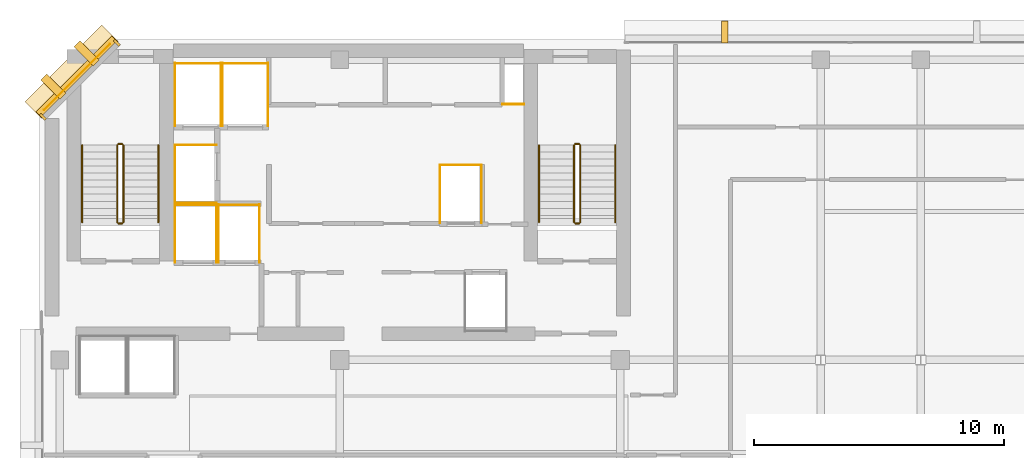
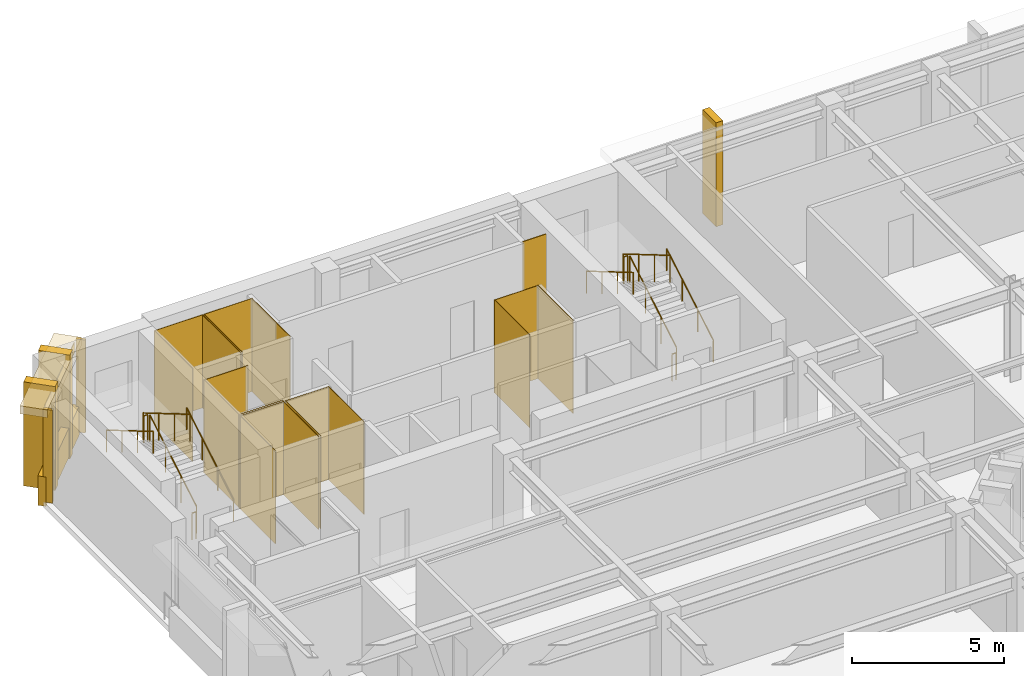
# One storey, part 11 of 12: 27 coverings, 12 railings.
"""IFC4 building model written with IfcOpenShell, lengths in metres."""

from ifc_helpers import new_model, si_unit, direction, frame, origin, origin_2d, place, context, subcontext, project, spatial, polyline, rectangle, circle, outline, extrude, material, layer, layer_set, type_object, element, save


model = new_model("IFC4")

# Units and contexts
model_context = context("Model", 3, precision=1e-05, world=origin(), true_north=direction((0.0, 1.0)))
body_context = subcontext(model_context, "Body", "Model", "MODEL_VIEW")
ifc_project = project(units=[si_unit("LENGTHUNIT", "METRE"), si_unit("AREAUNIT", "SQUARE_METRE"), si_unit("VOLUMEUNIT", "CUBIC_METRE"), si_unit("PLANEANGLEUNIT", "RADIAN"), si_unit("MASSUNIT", "GRAM", prefix="KILO")], contexts=[model_context])

# Site, building, storey
site_placement = place(None, origin())
site = spatial("IfcSite", under=ifc_project, at=site_placement, CompositionType="ELEMENT")
building_placement = place(site_placement, origin())
building = spatial("IfcBuilding", under=site, at=building_placement, Name="Kefirva Bronze Tower", CompositionType="ELEMENT")
storey_placement = place(building_placement, frame((0.0, 0.0, 339.570068359375)))
storey = spatial("IfcBuildingStorey", under=building, at=storey_placement, Name="L83", CompositionType="ELEMENT", Elevation=339.570068359375)

# Coverings
ifc_material_1 = material(Name="Bronze anodised aluminium", Category="aluminium")
ifc_layer_1 = layer(ifc_material_1, 0.02001953125, Name="Bronze anodised aluminium")
ifc_layer_set_1 = layer_set([ifc_layer_1], Name="Bronze anodised aluminium")
covering_type_1 = type_object("IfcCoveringType", Name="Anodised Bronze Spandrel Cladding 20mm", PredefinedType="CLADDING", material=ifc_layer_set_1)
covering_1_placement = place(storey_placement, frame((1.492919921875, 44.507080078125, 3.320068359375), z_axis=(0.0, 0.0, 1.0), x_axis=(-0.707106781187, -0.707106781187, 0.0)))
element("IfcCovering", 1, at=covering_1_placement, inside=storey, type_object=covering_type_1, Name="L83 Bronze Spandrel Cladding 9", PredefinedType="CLADDING", context=body_context, shape_type="SweptSolid", body=[
    extrude(rectangle(XDim=3.719482421875, YDim=0.02001953125, at=origin_2d()), origin(), (0.0, 0.0, 1.0), 0.39990234375),
])
for number, where, z_axis, x_axis, name in (
    (2, (3.08837890625, 45.862060546875, 0.0), (0.0, 0.0, 1.0), (-0.707106781187, -0.707106781187, 0.0), "L83 Facade Joint Closure Panel 9S"),
    (3, (0.137939453125, 42.91162109375, 0.0), (0.0, 0.0, 1.0), (-0.707106781187, -0.707106781187, 0.0), "L83 Facade Joint Closure Panel 9E"),
):
    element("IfcCovering", number, at=place(storey_placement, frame(where, z_axis=z_axis, x_axis=x_axis)), inside=storey, type_object=covering_type_1, Name=name, PredefinedType="CLADDING", context=body_context, shape_type="SweptSolid", body=[
        extrude(rectangle(XDim=0.10009765625, YDim=0.320068359375, at=origin_2d()), origin(), (0.0, 0.0, 1.0), 3.739990234375),
    ])
covering_2_placement = place(storey_placement, frame((1.4716796875, 44.5283203125, -0.16015625), z_axis=(0.0, 0.0, 1.0), x_axis=(-0.707106781187, -0.707106781187, 0.0)))
element("IfcCovering", 4, at=covering_2_placement, inside=storey, type_object=covering_type_1, Name="L83 Streamline Horizontal Spandrel Band 13", PredefinedType="CLADDING", context=body_context, shape_type="SweptSolid", body=[
    extrude(rectangle(XDim=4.28271484375, YDim=0.280029296875, at=origin_2d()), origin(), (0.0, 0.0, 1.0), 1.179931640625),
])
covering_3_placement = place(storey_placement, origin())
element("IfcCovering", 5, at=covering_3_placement, inside=storey, type_object=covering_type_1, Name="L83 Lift FF1 Hoistway Liner N", PredefinedType="CLADDING", context=body_context, shape_type="SweptSolid", body=[
    extrude(outline(polyline([(5.39990234375, 39.389892578125), (7.080078125, 39.389892578125), (7.080078125, 39.409912109375), (5.39990234375, 39.409912109375), (5.39990234375, 39.389892578125)])), origin(), (0.0, 0.0, 1.0), 3.739990234375),
])
covering_4_placement = place(storey_placement, origin())
element("IfcCovering", 6, at=covering_4_placement, inside=storey, type_object=covering_type_1, Name="L83 Lift FF1 Hoistway Liner W", PredefinedType="CLADDING", context=body_context, shape_type="SweptSolid", body=[
    extrude(outline(polyline([(5.409912109375, 37.080078125), (5.429931640625, 37.080078125), (5.429931640625, 39.419921875), (5.409912109375, 39.419921875), (5.409912109375, 37.080078125)])), origin(), (0.0, 0.0, 1.0), 3.739990234375),
])
covering_5_placement = place(storey_placement, origin())
element("IfcCovering", 7, at=covering_5_placement, inside=storey, type_object=covering_type_1, Name="L83 Lift FF1 Hoistway Liner E", PredefinedType="CLADDING", context=body_context, shape_type="SweptSolid", body=[
    extrude(outline(polyline([(7.050048828125, 37.080078125), (7.070068359375, 37.080078125), (7.070068359375, 39.419921875), (7.050048828125, 39.419921875), (7.050048828125, 37.080078125)])), origin(), (0.0, 0.0, 1.0), 3.739990234375),
])
covering_6_placement = place(storey_placement, origin())
element("IfcCovering", 8, at=covering_6_placement, inside=storey, type_object=covering_type_1, Name="L83 Lift FF2 Hoistway Liner N", PredefinedType="CLADDING", context=body_context, shape_type="SweptSolid", body=[
    extrude(outline(polyline([(7.1201171875, 39.389892578125), (8.800048828125, 39.389892578125), (8.800048828125, 39.409912109375), (7.1201171875, 39.409912109375), (7.1201171875, 39.389892578125)])), origin(), (0.0, 0.0, 1.0), 3.739990234375),
])
covering_7_placement = place(storey_placement, origin())
element("IfcCovering", 9, at=covering_7_placement, inside=storey, type_object=covering_type_1, Name="L83 Lift FF2 Hoistway Liner W", PredefinedType="CLADDING", context=body_context, shape_type="SweptSolid", body=[
    extrude(outline(polyline([(7.1298828125, 37.080078125), (7.14990234375, 37.080078125), (7.14990234375, 39.419921875), (7.1298828125, 39.419921875), (7.1298828125, 37.080078125)])), origin(), (0.0, 0.0, 1.0), 3.739990234375),
])
covering_8_placement = place(storey_placement, origin())
element("IfcCovering", 10, at=covering_8_placement, inside=storey, type_object=covering_type_1, Name="L83 Lift FF2 Hoistway Liner E", PredefinedType="CLADDING", context=body_context, shape_type="SweptSolid", body=[
    extrude(outline(polyline([(8.77001953125, 37.080078125), (8.7900390625, 37.080078125), (8.7900390625, 39.419921875), (8.77001953125, 39.419921875), (8.77001953125, 37.080078125)])), origin(), (0.0, 0.0, 1.0), 3.739990234375),
])
covering_9_placement = place(storey_placement, origin())
element("IfcCovering", 11, at=covering_9_placement, inside=storey, type_object=covering_type_1, Name="L83 Lift SV1 Hoistway Liner N", PredefinedType="CLADDING", context=body_context, shape_type="SweptSolid", body=[
    extrude(outline(polyline([(5.39990234375, 45.0400390625), (7.260009765625, 45.0400390625), (7.260009765625, 45.06005859375), (5.39990234375, 45.06005859375), (5.39990234375, 45.0400390625)])), origin(), (0.0, 0.0, 1.0), 3.739990234375),
])
covering_10_placement = place(storey_placement, origin())
element("IfcCovering", 12, at=covering_10_placement, inside=storey, type_object=covering_type_1, Name="L83 Lift SV1 Hoistway Liner W", PredefinedType="CLADDING", context=body_context, shape_type="SweptSolid", body=[
    extrude(outline(polyline([(5.409912109375, 42.530029296875), (5.429931640625, 42.530029296875), (5.429931640625, 45.070068359375), (5.409912109375, 45.070068359375), (5.409912109375, 42.530029296875)])), origin(), (0.0, 0.0, 1.0), 3.739990234375),
])
covering_11_placement = place(storey_placement, origin())
element("IfcCovering", 13, at=covering_11_placement, inside=storey, type_object=covering_type_1, Name="L83 Lift SV1 Hoistway Liner E", PredefinedType="CLADDING", context=body_context, shape_type="SweptSolid", body=[
    extrude(outline(polyline([(7.22998046875, 42.530029296875), (7.25, 42.530029296875), (7.25, 45.070068359375), (7.22998046875, 45.070068359375), (7.22998046875, 42.530029296875)])), origin(), (0.0, 0.0, 1.0), 3.739990234375),
])
covering_12_placement = place(storey_placement, origin())
element("IfcCovering", 14, at=covering_12_placement, inside=storey, type_object=covering_type_1, Name="L83 Lift SV2 Hoistway Liner N", PredefinedType="CLADDING", context=body_context, shape_type="SweptSolid", body=[
    extrude(outline(polyline([(7.280029296875, 45.0400390625), (9.139892578125, 45.0400390625), (9.139892578125, 45.06005859375), (7.280029296875, 45.06005859375), (7.280029296875, 45.0400390625)])), origin(), (0.0, 0.0, 1.0), 3.739990234375),
])
covering_13_placement = place(storey_placement, origin())
element("IfcCovering", 15, at=covering_13_placement, inside=storey, type_object=covering_type_1, Name="L83 Lift SV2 Hoistway Liner W", PredefinedType="CLADDING", context=body_context, shape_type="SweptSolid", body=[
    extrude(outline(polyline([(7.2900390625, 42.530029296875), (7.31005859375, 42.530029296875), (7.31005859375, 45.070068359375), (7.2900390625, 45.070068359375), (7.2900390625, 42.530029296875)])), origin(), (0.0, 0.0, 1.0), 3.739990234375),
])
covering_14_placement = place(storey_placement, origin())
element("IfcCovering", 16, at=covering_14_placement, inside=storey, type_object=covering_type_1, Name="L83 Lift SV2 Hoistway Liner E", PredefinedType="CLADDING", context=body_context, shape_type="SweptSolid", body=[
    extrude(outline(polyline([(9.110107421875, 42.530029296875), (9.1298828125, 42.530029296875), (9.1298828125, 45.070068359375), (9.110107421875, 45.070068359375), (9.110107421875, 42.530029296875)])), origin(), (0.0, 0.0, 1.0), 3.739990234375),
])
covering_15_placement = place(storey_placement, origin())
element("IfcCovering", 17, at=covering_15_placement, inside=storey, type_object=covering_type_1, Name="L83 Lift HP2 Hoistway Liner N", PredefinedType="CLADDING", context=body_context, shape_type="SweptSolid", body=[
    extrude(outline(polyline([(15.97998046875, 40.969970703125), (17.669921875, 40.969970703125), (17.669921875, 40.989990234375), (15.97998046875, 40.989990234375), (15.97998046875, 40.969970703125)])), origin(), (0.0, 0.0, 1.0), 3.739990234375),
])
covering_16_placement = place(storey_placement, origin())
element("IfcCovering", 18, at=covering_16_placement, inside=storey, type_object=covering_type_1, Name="L83 Lift HP2 Hoistway Liner W", PredefinedType="CLADDING", context=body_context, shape_type="SweptSolid", body=[
    extrude(outline(polyline([(15.989990234375, 38.659912109375), (16.010009765625, 38.659912109375), (16.010009765625, 41.0), (15.989990234375, 41.0), (15.989990234375, 38.659912109375)])), origin(), (0.0, 0.0, 1.0), 3.739990234375),
])
covering_17_placement = place(storey_placement, origin())
element("IfcCovering", 19, at=covering_17_placement, inside=storey, type_object=covering_type_1, Name="L83 Lift HP2 Hoistway Liner E", PredefinedType="CLADDING", context=body_context, shape_type="SweptSolid", body=[
    extrude(outline(polyline([(17.639892578125, 38.659912109375), (17.659912109375, 38.659912109375), (17.659912109375, 41.0), (17.639892578125, 41.0), (17.639892578125, 38.659912109375)])), origin(), (0.0, 0.0, 1.0), 3.739990234375),
])
covering_18_placement = place(storey_placement, origin())
element("IfcCovering", 20, at=covering_18_placement, inside=storey, type_object=covering_type_1, Name="L83 Lift HP3 Hoistway Liner N", PredefinedType="CLADDING", context=body_context, shape_type="SweptSolid", body=[
    extrude(outline(polyline([(5.39990234375, 41.77001953125), (7.080078125, 41.77001953125), (7.080078125, 41.7900390625), (5.39990234375, 41.7900390625), (5.39990234375, 41.77001953125)])), origin(), (0.0, 0.0, 1.0), 3.739990234375),
])
covering_19_placement = place(storey_placement, origin())
element("IfcCovering", 21, at=covering_19_placement, inside=storey, type_object=covering_type_1, Name="L83 Lift HP3 Hoistway Liner S", PredefinedType="CLADDING", context=body_context, shape_type="SweptSolid", body=[
    extrude(outline(polyline([(5.39990234375, 39.469970703125), (7.080078125, 39.469970703125), (7.080078125, 39.489990234375), (5.39990234375, 39.489990234375), (5.39990234375, 39.469970703125)])), origin(), (0.0, 0.0, 1.0), 3.739990234375),
])
covering_20_placement = place(storey_placement, origin())
element("IfcCovering", 22, at=covering_20_placement, inside=storey, type_object=covering_type_1, Name="L83 Lift HP3 Hoistway Liner W", PredefinedType="CLADDING", context=body_context, shape_type="SweptSolid", body=[
    extrude(outline(polyline([(5.409912109375, 39.4599609375), (5.429931640625, 39.4599609375), (5.429931640625, 41.800048828125), (5.409912109375, 41.800048828125), (5.409912109375, 39.4599609375)])), origin(), (0.0, 0.0, 1.0), 3.739990234375),
])
covering_21_placement = place(storey_placement, origin())
element("IfcCovering", 23, at=covering_21_placement, inside=storey, type_object=covering_type_1, Name="L83 Core MEP Riser Shaft Liner South", PredefinedType="CLADDING", context=body_context, shape_type="SweptSolid", body=[
    extrude(outline(polyline([(18.47998046875, 43.39990234375), (19.360107421875, 43.39990234375), (19.360107421875, 43.429931640625), (18.47998046875, 43.429931640625), (18.47998046875, 43.39990234375)])), origin(), (0.0, 0.0, 1.0), 3.739990234375),
])

# Railings
ifc_material_2 = material(Name="Stainless steel 316", Category="steel")
railing_type_1 = type_object("IfcRailingType", Name="Interior Stair Guardrail 1100mm", PredefinedType="GUARDRAIL", material=ifc_material_2)
railing_1_placement = place(storey_placement, frame((3.35009765625, 38.699951171875, 0.1650390625)))
element("IfcRailing", 24, at=railing_1_placement, inside=storey, type_object=railing_type_1, Name="L83 ST-1 stair guard 1", PredefinedType="GUARDRAIL", context=body_context, shape_type="SweptSolid", body=[
    extrude(circle(Radius=0.02392578125, at=origin_2d()), frame((0.0, 0.0, 1.076171875), z_axis=(0.0, 0.861551262678, 0.507670583921), x_axis=(-1.0, 0.0, 0.0)), (0.0, 0.0, 1.0), 3.574951171875),
    extrude(circle(Radius=0.02099609375, at=origin_2d()), origin(), (0.0, 0.0, 1.0), 1.052001953125),
    extrude(circle(Radius=0.02099609375, at=origin_2d()), frame((0.0, 1.026611328125, 0.60498046875)), (0.0, 0.0, 1.0), 1.052001953125),
    extrude(circle(Radius=0.02099609375, at=origin_2d()), frame((0.0, 2.053466796875, 1.2099609375)), (0.0, 0.0, 1.0), 1.052001953125),
    extrude(circle(Radius=0.02099609375, at=origin_2d()), frame((0.0, 3.080078125, 1.81494140625)), (0.0, 0.0, 1.0), 1.052001953125),
])
railing_2_placement = place(storey_placement, frame((3.300048828125, 41.830078125, 1.97998046875)))
element("IfcRailing", 25, at=railing_2_placement, inside=storey, type_object=railing_type_1, Name="L83 ST-1 stair guard 2", PredefinedType="GUARDRAIL", context=body_context, shape_type="SweptSolid", body=[
    extrude(circle(Radius=0.02392578125, at=origin_2d()), frame((0.0, 0.0, 1.076171875), z_axis=(-1.0, 0.0, 0.0), x_axis=(0.0, -1.0, 0.0)), (0.0, 0.0, 1.0), 0.150146484375),
    extrude(circle(Radius=0.02099609375, at=origin_2d()), origin(), (0.0, 0.0, 1.0), 1.052001953125),
    extrude(circle(Radius=0.02099609375, at=origin_2d()), frame((-0.150146484375, 0.0, 0.0)), (0.0, 0.0, 1.0), 1.052001953125),
])
railing_3_placement = place(storey_placement, frame((3.10009765625, 41.780029296875, 2.14501953125)))
element("IfcRailing", 26, at=railing_3_placement, inside=storey, type_object=railing_type_1, Name="L83 ST-1 stair guard 3", PredefinedType="GUARDRAIL", context=body_context, shape_type="SweptSolid", body=[
    extrude(circle(Radius=0.02392578125, at=origin_2d()), frame((0.0, 0.0, 1.076171875), z_axis=(0.0, -0.861551262678, 0.507670583921), x_axis=(1.0, 0.0, 0.0)), (0.0, 0.0, 1.0), 3.574951171875),
    extrude(circle(Radius=0.02099609375, at=origin_2d()), origin(), (0.0, 0.0, 1.0), 1.052001953125),
    extrude(circle(Radius=0.02099609375, at=origin_2d()), frame((0.0, -1.026611328125, 0.60498046875)), (0.0, 0.0, 1.0), 1.052001953125),
    extrude(circle(Radius=0.02099609375, at=origin_2d()), frame((0.0, -2.053466796875, 1.2099609375)), (0.0, 0.0, 1.0), 1.052001953125),
    extrude(circle(Radius=0.02099609375, at=origin_2d()), frame((0.0, -3.080078125, 1.81494140625)), (0.0, 0.0, 1.0), 1.052001953125),
])
railing_4_placement = place(storey_placement, frame((3.300048828125, 38.64990234375, 0.0)))
element("IfcRailing", 27, at=railing_4_placement, inside=storey, type_object=railing_type_1, Name="L83 ST-1 stair guard 4", PredefinedType="GUARDRAIL", context=body_context, shape_type="SweptSolid", body=[
    extrude(circle(Radius=0.02392578125, at=origin_2d()), frame((0.0, 0.0, 1.076171875), z_axis=(-1.0, 0.0, 0.0), x_axis=(0.0, -1.0, 0.0)), (0.0, 0.0, 1.0), 0.150146484375),
    extrude(circle(Radius=0.02099609375, at=origin_2d()), origin(), (0.0, 0.0, 1.0), 1.052001953125),
    extrude(circle(Radius=0.02099609375, at=origin_2d()), frame((-0.150146484375, 0.0, 0.0)), (0.0, 0.0, 1.0), 1.052001953125),
])
railing_5_placement = place(storey_placement, frame((21.60009765625, 38.699951171875, 0.1650390625)))
element("IfcRailing", 28, at=railing_5_placement, inside=storey, type_object=railing_type_1, Name="L83 ST-2 stair guard 1", PredefinedType="GUARDRAIL", context=body_context, shape_type="SweptSolid", body=[
    extrude(circle(Radius=0.02392578125, at=origin_2d()), frame((0.0, 0.0, 1.076171875), z_axis=(0.0, 0.861551262678, 0.507670583921), x_axis=(-1.0, 0.0, 0.0)), (0.0, 0.0, 1.0), 3.574951171875),
    extrude(circle(Radius=0.02099609375, at=origin_2d()), origin(), (0.0, 0.0, 1.0), 1.052001953125),
    extrude(circle(Radius=0.02099609375, at=origin_2d()), frame((0.0, 1.026611328125, 0.60498046875)), (0.0, 0.0, 1.0), 1.052001953125),
    extrude(circle(Radius=0.02099609375, at=origin_2d()), frame((0.0, 2.053466796875, 1.2099609375)), (0.0, 0.0, 1.0), 1.052001953125),
    extrude(circle(Radius=0.02099609375, at=origin_2d()), frame((0.0, 3.080078125, 1.81494140625)), (0.0, 0.0, 1.0), 1.052001953125),
])
railing_6_placement = place(storey_placement, frame((21.550048828125, 41.830078125, 1.97998046875)))
element("IfcRailing", 29, at=railing_6_placement, inside=storey, type_object=railing_type_1, Name="L83 ST-2 stair guard 2", PredefinedType="GUARDRAIL", context=body_context, shape_type="SweptSolid", body=[
    extrude(circle(Radius=0.02392578125, at=origin_2d()), frame((0.0, 0.0, 1.076171875), z_axis=(-1.0, 0.0, 0.0), x_axis=(0.0, -1.0, 0.0)), (0.0, 0.0, 1.0), 0.150146484375),
    extrude(circle(Radius=0.02099609375, at=origin_2d()), origin(), (0.0, 0.0, 1.0), 1.052001953125),
    extrude(circle(Radius=0.02099609375, at=origin_2d()), frame((-0.150146484375, 0.0, 0.0)), (0.0, 0.0, 1.0), 1.052001953125),
])
railing_7_placement = place(storey_placement, frame((21.35009765625, 41.780029296875, 2.14501953125)))
element("IfcRailing", 30, at=railing_7_placement, inside=storey, type_object=railing_type_1, Name="L83 ST-2 stair guard 3", PredefinedType="GUARDRAIL", context=body_context, shape_type="SweptSolid", body=[
    extrude(circle(Radius=0.02392578125, at=origin_2d()), frame((0.0, 0.0, 1.076171875), z_axis=(0.0, -0.861551262678, 0.507670583921), x_axis=(1.0, 0.0, 0.0)), (0.0, 0.0, 1.0), 3.574951171875),
    extrude(circle(Radius=0.02099609375, at=origin_2d()), origin(), (0.0, 0.0, 1.0), 1.052001953125),
    extrude(circle(Radius=0.02099609375, at=origin_2d()), frame((0.0, -1.026611328125, 0.60498046875)), (0.0, 0.0, 1.0), 1.052001953125),
    extrude(circle(Radius=0.02099609375, at=origin_2d()), frame((0.0, -2.053466796875, 1.2099609375)), (0.0, 0.0, 1.0), 1.052001953125),
    extrude(circle(Radius=0.02099609375, at=origin_2d()), frame((0.0, -3.080078125, 1.81494140625)), (0.0, 0.0, 1.0), 1.052001953125),
])
railing_8_placement = place(storey_placement, frame((21.550048828125, 38.64990234375, 0.0)))
element("IfcRailing", 31, at=railing_8_placement, inside=storey, type_object=railing_type_1, Name="L83 ST-2 stair guard 4", PredefinedType="GUARDRAIL", context=body_context, shape_type="SweptSolid", body=[
    extrude(circle(Radius=0.02392578125, at=origin_2d()), frame((0.0, 0.0, 1.076171875), z_axis=(-1.0, 0.0, 0.0), x_axis=(0.0, -1.0, 0.0)), (0.0, 0.0, 1.0), 0.150146484375),
    extrude(circle(Radius=0.02099609375, at=origin_2d()), origin(), (0.0, 0.0, 1.0), 1.052001953125),
    extrude(circle(Radius=0.02099609375, at=origin_2d()), frame((-0.150146484375, 0.0, 0.0)), (0.0, 0.0, 1.0), 1.052001953125),
])
railing_type_2 = type_object("IfcRailingType", Name="Stair Pitch Handrail 900mm", PredefinedType="HANDRAIL", material=ifc_material_2)
railing_9_placement = place(storey_placement, frame((4.75, 38.699951171875, 0.1650390625)))
element("IfcRailing", 32, at=railing_9_placement, inside=storey, type_object=railing_type_2, Name="L83 ST-1 stair handrail 1", PredefinedType="HANDRAIL", context=body_context, shape_type="SweptSolid", body=[
    extrude(circle(Radius=0.02392578125, at=origin_2d()), frame((0.0, 0.0, 0.8759765625), z_axis=(0.0, 0.861551262678, 0.507670583921), x_axis=(-1.0, 0.0, 0.0)), (0.0, 0.0, 1.0), 3.574951171875),
    extrude(circle(Radius=0.02099609375, at=origin_2d()), origin(), (0.0, 0.0, 1.0), 0.851806640625),
    extrude(circle(Radius=0.02099609375, at=origin_2d()), frame((0.0, 1.026611328125, 0.60498046875)), (0.0, 0.0, 1.0), 0.851806640625),
    extrude(circle(Radius=0.02099609375, at=origin_2d()), frame((0.0, 2.053466796875, 1.2099609375)), (0.0, 0.0, 1.0), 0.851806640625),
    extrude(circle(Radius=0.02099609375, at=origin_2d()), frame((0.0, 3.080078125, 1.81494140625)), (0.0, 0.0, 1.0), 0.851806640625),
])
railing_10_placement = place(storey_placement, frame((1.699951171875, 41.780029296875, 2.14501953125)))
element("IfcRailing", 33, at=railing_10_placement, inside=storey, type_object=railing_type_2, Name="L83 ST-1 stair handrail 2", PredefinedType="HANDRAIL", context=body_context, shape_type="SweptSolid", body=[
    extrude(circle(Radius=0.02392578125, at=origin_2d()), frame((0.0, 0.0, 0.8759765625), z_axis=(0.0, -0.861551262678, 0.507670583921), x_axis=(1.0, 0.0, 0.0)), (0.0, 0.0, 1.0), 3.574951171875),
    extrude(circle(Radius=0.02099609375, at=origin_2d()), origin(), (0.0, 0.0, 1.0), 0.851806640625),
    extrude(circle(Radius=0.02099609375, at=origin_2d()), frame((0.0, -1.026611328125, 0.60498046875)), (0.0, 0.0, 1.0), 0.851806640625),
    extrude(circle(Radius=0.02099609375, at=origin_2d()), frame((0.0, -2.053466796875, 1.2099609375)), (0.0, 0.0, 1.0), 0.851806640625),
    extrude(circle(Radius=0.02099609375, at=origin_2d()), frame((0.0, -3.080078125, 1.81494140625)), (0.0, 0.0, 1.0), 0.851806640625),
])
railing_11_placement = place(storey_placement, frame((23.0, 38.699951171875, 0.1650390625)))
element("IfcRailing", 34, at=railing_11_placement, inside=storey, type_object=railing_type_2, Name="L83 ST-2 stair handrail 1", PredefinedType="HANDRAIL", context=body_context, shape_type="SweptSolid", body=[
    extrude(circle(Radius=0.02392578125, at=origin_2d()), frame((0.0, 0.0, 0.8759765625), z_axis=(0.0, 0.861551262678, 0.507670583921), x_axis=(-1.0, 0.0, 0.0)), (0.0, 0.0, 1.0), 3.574951171875),
    extrude(circle(Radius=0.02099609375, at=origin_2d()), origin(), (0.0, 0.0, 1.0), 0.851806640625),
    extrude(circle(Radius=0.02099609375, at=origin_2d()), frame((0.0, 1.026611328125, 0.60498046875)), (0.0, 0.0, 1.0), 0.851806640625),
    extrude(circle(Radius=0.02099609375, at=origin_2d()), frame((0.0, 2.053466796875, 1.2099609375)), (0.0, 0.0, 1.0), 0.851806640625),
    extrude(circle(Radius=0.02099609375, at=origin_2d()), frame((0.0, 3.080078125, 1.81494140625)), (0.0, 0.0, 1.0), 0.851806640625),
])
railing_12_placement = place(storey_placement, frame((19.949951171875, 41.780029296875, 2.14501953125)))
element("IfcRailing", 35, at=railing_12_placement, inside=storey, type_object=railing_type_2, Name="L83 ST-2 stair handrail 2", PredefinedType="HANDRAIL", context=body_context, shape_type="SweptSolid", body=[
    extrude(circle(Radius=0.02392578125, at=origin_2d()), frame((0.0, 0.0, 0.8759765625), z_axis=(0.0, -0.861551262678, 0.507670583921), x_axis=(1.0, 0.0, 0.0)), (0.0, 0.0, 1.0), 3.574951171875),
    extrude(circle(Radius=0.02099609375, at=origin_2d()), origin(), (0.0, 0.0, 1.0), 0.851806640625),
    extrude(circle(Radius=0.02099609375, at=origin_2d()), frame((0.0, -1.026611328125, 0.60498046875)), (0.0, 0.0, 1.0), 0.851806640625),
    extrude(circle(Radius=0.02099609375, at=origin_2d()), frame((0.0, -2.053466796875, 1.2099609375)), (0.0, 0.0, 1.0), 0.851806640625),
    extrude(circle(Radius=0.02099609375, at=origin_2d()), frame((0.0, -3.080078125, 1.81494140625)), (0.0, 0.0, 1.0), 0.851806640625),
])

# Coverings
ifc_layer_2 = layer(ifc_material_1, 0.179931640625, Name="Bronze anodised aluminium")
ifc_layer_set_2 = layer_set([ifc_layer_2], Name="Bronze anodised aluminium")
covering_type_2 = type_object("IfcCoveringType", Name="Streamline Bronze Sunshade Eyebrow Cladding 180mm", PredefinedType="CLADDING", material=ifc_layer_set_2)
covering_22_placement = place(storey_placement, frame((1.28076171875, 44.71923828125, 3.419921875), z_axis=(0.0, 0.0, 1.0), x_axis=(-0.707106781187, -0.707106781187, 0.0)))
element("IfcCovering", 36, at=covering_22_placement, inside=storey, type_object=covering_type_2, Name="L83 Streamline Bronze Sunshade Eyebrow 13", PredefinedType="CLADDING", context=body_context, shape_type="SweptSolid", body=[
    extrude(rectangle(XDim=4.322509765625, YDim=0.93994140625, at=origin_2d()), origin(), (0.0, 0.0, 1.0), 0.320068359375),
])
ifc_layer_3 = layer(ifc_material_1, 0.260009765625, Name="Bronze anodised aluminium")
ifc_layer_set_3 = layer_set([ifc_layer_3], Name="Bronze anodised aluminium")
covering_type_3 = type_object("IfcCoveringType", Name="Unbroken Bronze Buttress Fin Cladding 260mm", PredefinedType="CLADDING", material=ifc_layer_set_3)
covering_23_placement = place(storey_placement, frame((27.364013671875, 46.300048828125, -0.22021484375), z_axis=(0.0, 0.0, 1.0), x_axis=(-1.0, 0.0, 0.0)))
element("IfcCovering", 37, at=covering_23_placement, inside=storey, type_object=covering_type_3, Name="L83 Unbroken Vertical Bronze Rib Fin 18", PredefinedType="CLADDING", context=body_context, shape_type="SweptSolid", body=[
    extrude(rectangle(XDim=0.260009765625, YDim=0.8798828125, at=origin_2d()), origin(), (0.0, 0.0, 1.0), 4.179931640625),
])
for number, where, z_axis, x_axis, name in (
    (38, (1.877197265625, 45.44287109375, -0.22021484375), (0.0, 0.0, 1.0), (-0.707106781187, -0.707106781187, 0.0), "L83 Chamfered Corner Buttress Fin Cladding 19"),
    (39, (0.55712890625, 44.122802734375, -0.22021484375), (0.0, 0.0, 1.0), (-0.707106781187, -0.707106781187, 0.0), "L83 Chamfered Corner Buttress Fin Cladding 20"),
):
    element("IfcCovering", number, at=place(storey_placement, frame(where, z_axis=z_axis, x_axis=x_axis)), inside=storey, type_object=covering_type_3, Name=name, PredefinedType="CLADDING", context=body_context, shape_type="SweptSolid", body=[
        extrude(rectangle(XDim=0.340087890625, YDim=1.080078125, at=origin_2d()), origin(), (0.0, 0.0, 1.0), 4.179931640625),
    ])

save(model, "model.ifc")
